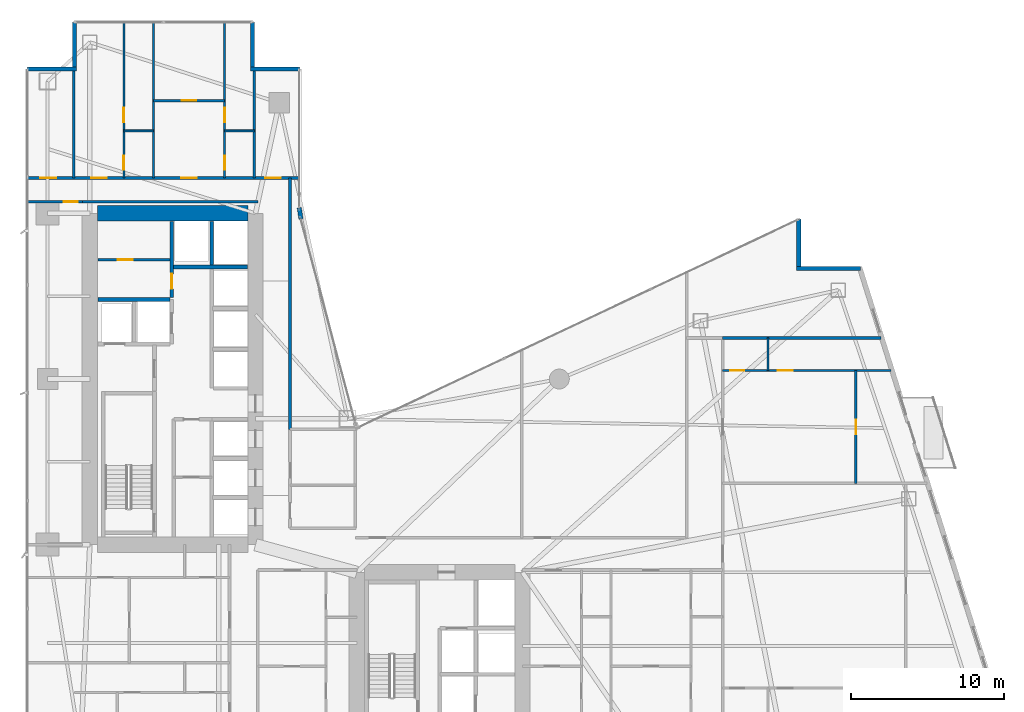
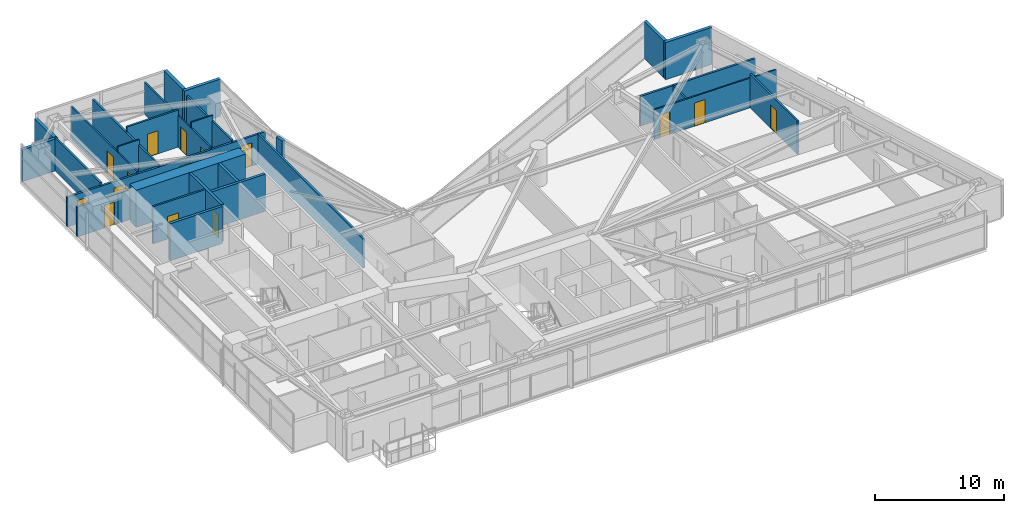
# One storey, part 24 of 28: 29 walls, 15 doors, 15 openings.
"""IFC4 building model written with IfcOpenShell, lengths in metres."""

from ifc_helpers import new_model, si_unit, direction, frame, frame_2d, origin, place, context, subcontext, project, spatial, rectangle, extrude, material, layer, layer_set, type_object, element, fill, save


model = new_model("IFC4")

# Units and contexts
model_context = context("Model", 3, precision=1e-05, world=origin(), true_north=direction((0.0, 1.0)))
body_context = subcontext(model_context, "Body", "Model", "MODEL_VIEW")
ifc_project = project(units=[si_unit("LENGTHUNIT", "METRE"), si_unit("AREAUNIT", "SQUARE_METRE"), si_unit("VOLUMEUNIT", "CUBIC_METRE"), si_unit("PLANEANGLEUNIT", "RADIAN"), si_unit("MASSUNIT", "GRAM", prefix="KILO")], contexts=[model_context])

# Site, building, storey
site_placement = place(None, origin())
site = spatial("IfcSite", under=ifc_project, at=site_placement, CompositionType="ELEMENT")
building_placement = place(site_placement, origin())
building = spatial("IfcBuilding", under=site, at=building_placement, Name="Calvorn Quay Hotel", CompositionType="ELEMENT")
storey_placement = place(building_placement, frame((0.0, 0.0, 88.800048828125)))
storey = spatial("IfcBuildingStorey", under=building, at=storey_placement, Name="L21", CompositionType="ELEMENT", Elevation=88.800048828125)

# Wall
ifc_material_1 = material(Name="Concrete C60", Category="concrete")
ifc_layer_1 = layer(ifc_material_1, 1.0)
ifc_layer_set_1 = layer_set([ifc_layer_1], Name="WL-CORE-1000")
wall_type_1 = type_object("IfcWallType", Name="WL-CORE-1000", PredefinedType="SHEAR", material=ifc_layer_set_1)
wall_1_placement = place(storey_placement, frame((4.699951171875, 38.39990234375, 0.0), z_axis=(0.0, 0.0, 1.0), x_axis=(1.0, 0.0, 0.0)))
element("IfcWall", 1, at=wall_1_placement, inside=storey, type_object=wall_type_1, Name="West Core Shear Wall N (L21)", PredefinedType="SHEAR", context=body_context, shape_type="SweptSolid", body=[
    extrude(rectangle(XDim=9.800048828125, YDim=1.0, at=frame_2d((4.89990234375, 0.0))), origin(), (0.0, 0.0, 1.0), 3.52001953125),
])

# Wall, opening, door
ifc_material_2 = material(Name="Acoustic Fireboard Steel-Stud Partition", Category="steel")
ifc_layer_2 = layer(ifc_material_2, 0.179931640625)
ifc_layer_set_2 = layer_set([ifc_layer_2], Name="WL-CORR-FIRE-180")
wall_type_2 = type_object("IfcWallType", Name="WL-CORR-FIRE-180", PredefinedType="PARTITIONING", material=ifc_layer_set_2)
wall_2_placement = place(storey_placement, frame((0.080078125, 39.14990234375, 0.0), z_axis=(0.0, 0.0, 1.0), x_axis=(1.0, 0.0, 0.0)))
wall_2 = element("IfcWall", 2, at=wall_2_placement, inside=storey, type_object=wall_type_2, Name="Partition Wall L21-WL-WBAY-N-DOOR", PredefinedType="PARTITIONING", context=body_context, shape_type="SweptSolid", body=[
    extrude(rectangle(XDim=3.64990234375, YDim=0.179931640625, at=frame_2d((1.824951171875, 0.0))), origin(), (0.0, 0.0, 1.0), 2.820068359375),
])
opening_1_placement = place(wall_2_placement, frame((2.429931640625, 0.0, 0.0)))
opening_1 = element("IfcOpeningElement", 3, at=opening_1_placement, cuts=wall_2, Name="Opening D-L21-WBN", PredefinedType="OPENING", context=body_context, shape_type="SweptSolid", body=[
    extrude(rectangle(XDim=0.89990234375, YDim=2.14990234375, at=frame_2d((0.449951171875, 1.074951171875))), frame((0.0, 0.099853515625, 0.0), z_axis=(0.0, -1.0, 0.0), x_axis=(1.0, 0.0, 0.0)), (0.0, 0.0, 1.0), 0.199951171875),
])
ifc_material_3 = material(Name="Moisture-Sealed Timber En-Suite Door", Category="wood")
door_type_1 = type_object("IfcDoorType", Name="DR-ENSUITE-900", OperationType="NOTDEFINED", PredefinedType="DOOR", material=ifc_material_3)
door_1_placement = place(opening_1_placement, origin())
door_1 = element("IfcDoor", 4, at=door_1_placement, inside=storey, type_object=door_type_1, Name="West North Bay Door (L21)", OperationType="SINGLE_SWING_LEFT", OverallHeight=2.14990234375, OverallWidth=0.89990234375, PredefinedType="DOOR", context=body_context, shape_type="SweptSolid", body=[
    extrude(rectangle(XDim=0.89990234375, YDim=2.14990234375, at=frame_2d((0.449951171875, 1.074951171875))), frame((0.0, 0.02490234375, 0.0), z_axis=(0.0, -1.0, 0.0), x_axis=(1.0, 0.0, 0.0)), (0.0, 0.0, 1.0), 0.050048828125),
])
fill(opening_1, door_1)

# Wall, openings, doors
wall_3_placement = place(storey_placement, frame((0.080078125, 40.699951171875, 0.0), z_axis=(0.0, 0.0, 1.0), x_axis=(1.0, 0.0, 0.0)))
wall_3 = element("IfcWall", 5, at=wall_3_placement, inside=storey, type_object=wall_type_2, Name="Partition Wall L21-WL-CORR-NW-N", PredefinedType="PARTITIONING", context=body_context, shape_type="SweptSolid", body=[
    extrude(rectangle(XDim=17.77001953125, YDim=0.179931640625, at=frame_2d((8.885009765625, 0.0))), origin(), (0.0, 0.0, 1.0), 2.820068359375),
])
opening_2_placement = place(wall_3_placement, frame((0.89990234375, 0.0, 0.0)))
opening_2 = element("IfcOpeningElement", 6, at=opening_2_placement, cuts=wall_3, Name="Opening D-L21-NWW", PredefinedType="OPENING", context=body_context, shape_type="SweptSolid", body=[
    extrude(rectangle(XDim=1.02001953125, YDim=2.199951171875, at=frame_2d((0.510009765625, 1.10009765625))), frame((0.0, 0.099853515625, 0.0), z_axis=(0.0, -1.0, 0.0), x_axis=(1.0, 0.0, 0.0)), (0.0, 0.0, 1.0), 0.199951171875),
])
opening_3_placement = place(wall_3_placement, frame((4.199951171875, 0.0, 0.0)))
opening_3 = element("IfcOpeningElement", 7, at=opening_3_placement, cuts=wall_3, Name="Opening D-L21-U04", PredefinedType="OPENING", context=body_context, shape_type="SweptSolid", body=[
    extrude(rectangle(XDim=1.02001953125, YDim=2.199951171875, at=frame_2d((0.510009765625, 1.10009765625))), frame((0.0, 0.099853515625, 0.0), z_axis=(0.0, -1.0, 0.0), x_axis=(1.0, 0.0, 0.0)), (0.0, 0.0, 1.0), 0.199951171875),
])
opening_4_placement = place(wall_3_placement, frame((10.080078125, 0.0, 0.0)))
opening_4 = element("IfcOpeningElement", 8, at=opening_4_placement, cuts=wall_3, Name="Opening D-L21-U05", PredefinedType="OPENING", context=body_context, shape_type="SweptSolid", body=[
    extrude(rectangle(XDim=1.02001953125, YDim=2.199951171875, at=frame_2d((0.510009765625, 1.10009765625))), frame((0.0, 0.099853515625, 0.0), z_axis=(0.0, -1.0, 0.0), x_axis=(1.0, 0.0, 0.0)), (0.0, 0.0, 1.0), 0.199951171875),
])
opening_5_placement = place(wall_3_placement, frame((15.550048828125, 0.0, 0.0)))
opening_5 = element("IfcOpeningElement", 9, at=opening_5_placement, cuts=wall_3, Name="Opening D-L21-NWE", PredefinedType="OPENING", context=body_context, shape_type="SweptSolid", body=[
    extrude(rectangle(XDim=1.02001953125, YDim=2.199951171875, at=frame_2d((0.510009765625, 1.10009765625))), frame((0.0, 0.099853515625, 0.0), z_axis=(0.0, -1.0, 0.0), x_axis=(1.0, 0.0, 0.0)), (0.0, 0.0, 1.0), 0.199951171875),
])
ifc_material_4 = material(Name="Solid-Core Walnut Veneer Hotel Fire Door")
door_type_2 = type_object("IfcDoorType", Name="DR-GUEST-ENTRY-1020", OperationType="NOTDEFINED", PredefinedType="DOOR", material=ifc_material_4)
door_2_placement = place(opening_2_placement, origin())
door_2 = element("IfcDoor", 10, at=door_2_placement, inside=storey, type_object=door_type_2, Name="West Corner Study Door (L21)", OperationType="SINGLE_SWING_LEFT", OverallHeight=2.199951171875, OverallWidth=1.02001953125, PredefinedType="DOOR", context=body_context, shape_type="SweptSolid", body=[
    extrude(rectangle(XDim=1.02001953125, YDim=2.199951171875, at=frame_2d((0.510009765625, 1.10009765625))), frame((0.0, 0.02490234375, 0.0), z_axis=(0.0, -1.0, 0.0), x_axis=(1.0, 0.0, 0.0)), (0.0, 0.0, 1.0), 0.050048828125),
])
fill(opening_2, door_2)
door_3_placement = place(opening_3_placement, origin())
door_3 = element("IfcDoor", 11, at=door_3_placement, inside=storey, type_object=door_type_2, Name="North-West Unit Door U04 (L21)", OperationType="SINGLE_SWING_RIGHT", OverallHeight=2.199951171875, OverallWidth=1.02001953125, PredefinedType="DOOR", context=body_context, shape_type="SweptSolid", body=[
    extrude(rectangle(XDim=1.02001953125, YDim=2.199951171875, at=frame_2d((0.510009765625, 1.10009765625))), frame((0.0, 0.02490234375, 0.0), z_axis=(0.0, -1.0, 0.0), x_axis=(1.0, 0.0, 0.0)), (0.0, 0.0, 1.0), 0.050048828125),
])
fill(opening_3, door_3)
door_4_placement = place(opening_4_placement, origin())
door_4 = element("IfcDoor", 12, at=door_4_placement, inside=storey, type_object=door_type_2, Name="North-West Unit Door U05 (L21)", OperationType="SINGLE_SWING_LEFT", OverallHeight=2.199951171875, OverallWidth=1.02001953125, PredefinedType="DOOR", context=body_context, shape_type="SweptSolid", body=[
    extrude(rectangle(XDim=1.02001953125, YDim=2.199951171875, at=frame_2d((0.510009765625, 1.10009765625))), frame((0.0, 0.02490234375, 0.0), z_axis=(0.0, -1.0, 0.0), x_axis=(1.0, 0.0, 0.0)), (0.0, 0.0, 1.0), 0.050048828125),
])
fill(opening_4, door_4)
door_5_placement = place(opening_5_placement, origin())
door_5 = element("IfcDoor", 13, at=door_5_placement, inside=storey, type_object=door_type_2, Name="Inner Court Study Door (L21)", OperationType="SINGLE_SWING_RIGHT", OverallHeight=2.199951171875, OverallWidth=1.02001953125, PredefinedType="DOOR", context=body_context, shape_type="SweptSolid", body=[
    extrude(rectangle(XDim=1.02001953125, YDim=2.199951171875, at=frame_2d((0.510009765625, 1.10009765625))), frame((0.0, 0.02490234375, 0.0), z_axis=(0.0, -1.0, 0.0), x_axis=(1.0, 0.0, 0.0)), (0.0, 0.0, 1.0), 0.050048828125),
])
fill(opening_5, door_5)

# Walls
wall_4_placement = place(storey_placement, frame((17.25, 24.300048828125, 0.0), z_axis=(0.0, 0.0, 1.0), x_axis=(0.0, 1.0, 0.0)))
element("IfcWall", 14, at=wall_4_placement, inside=storey, type_object=wall_type_2, Name="Partition Wall L21-WL-NW-CLOSURE-E", PredefinedType="PARTITIONING", context=body_context, shape_type="SweptSolid", body=[
    extrude(rectangle(XDim=16.39990234375, YDim=0.179931640625, at=frame_2d((8.199951171875, 0.0))), origin(), (0.0, 0.0, 1.0), 2.820068359375),
])
wall_5_placement = place(storey_placement, frame((3.679931640625, 39.14990234375, 0.0), z_axis=(0.0, 0.0, 1.0), x_axis=(1.0, 0.0, 0.0)))
element("IfcWall", 15, at=wall_5_placement, inside=storey, type_object=wall_type_2, Name="Partition Wall L21-WL-W-SPUR-S", PredefinedType="PARTITIONING", context=body_context, shape_type="SweptSolid", body=[
    extrude(rectangle(XDim=11.469970703125, YDim=0.179931640625, at=frame_2d((5.73486328125, 0.0))), origin(), (0.0, 0.0, 1.0), 2.820068359375),
])
wall_6_placement = place(storey_placement, frame((45.449951171875, 30.280029296875, 0.0), z_axis=(0.0, 0.0, 1.0), x_axis=(1.0, 0.0, 0.0)))
element("IfcWall", 16, at=wall_6_placement, inside=storey, type_object=wall_type_2, Name="Partition Wall L21-WL-TIP-N", PredefinedType="PARTITIONING", context=body_context, shape_type="SweptSolid", body=[
    extrude(rectangle(XDim=10.31005859375, YDim=0.179931640625, at=frame_2d((5.155029296875, 0.0))), origin(), (0.0, 0.0, 1.0), 2.820068359375),
])
ifc_material_5 = material(Name="Moisture-Resistant Tile-Backed Partition")
ifc_layer_3 = layer(ifc_material_5, 0.125)
ifc_layer_set_3 = layer_set([ifc_layer_3], Name="WL-ENSUITE-125")
wall_type_3 = type_object("IfcWallType", Name="WL-ENSUITE-125", PredefinedType="PARTITIONING", material=ifc_layer_set_3)
wall_7_placement = place(storey_placement, frame((6.419921875, 43.77001953125, 0.0), z_axis=(0.0, 0.0, 1.0), x_axis=(1.0, 0.0, 0.0)))
element("IfcWall", 17, at=wall_7_placement, inside=storey, type_object=wall_type_3, Name="Partition Wall L21-WL-U04-BDV", PredefinedType="PARTITIONING", context=body_context, shape_type="SweptSolid", body=[
    extrude(rectangle(XDim=1.93017578125, YDim=0.125, at=frame_2d((0.965087890625, 0.0))), origin(), (0.0, 0.0, 1.0), 3.52001953125),
])

# Wall, openings, doors
wall_8_placement = place(storey_placement, frame((6.419921875, 40.699951171875, 0.0), z_axis=(0.0, 0.0, 1.0), x_axis=(0.0, 1.0, 0.0)))
wall_8 = element("IfcWall", 18, at=wall_8_placement, inside=storey, type_object=wall_type_3, Name="Partition Wall L21-WL-U04-BV", PredefinedType="PARTITIONING", context=body_context, shape_type="SweptSolid", body=[
    extrude(rectangle(XDim=10.239990234375, YDim=0.125, at=frame_2d((5.1201171875, 0.0))), origin(), (0.0, 0.0, 1.0), 3.02001953125),
])
opening_6_placement = place(wall_8_placement, frame((0.550048828125, 0.0, 0.0)))
opening_6 = element("IfcOpeningElement", 19, at=opening_6_placement, cuts=wall_8, Name="Opening D-L21-E04", PredefinedType="OPENING", context=body_context, shape_type="SweptSolid", body=[
    extrude(rectangle(XDim=0.89990234375, YDim=2.14990234375, at=frame_2d((0.449951171875, 1.074951171875))), frame((0.0, 0.072509765625, 0.0), z_axis=(0.0, -1.0, 0.0), x_axis=(1.0, 0.0, 0.0)), (0.0, 0.0, 1.0), 0.14501953125),
])
opening_7_placement = place(wall_8_placement, frame((3.6201171875, 0.0, 0.0)))
opening_7 = element("IfcOpeningElement", 20, at=opening_7_placement, cuts=wall_8, Name="Opening D-L21-S04", PredefinedType="OPENING", context=body_context, shape_type="SweptSolid", body=[
    extrude(rectangle(XDim=0.9599609375, YDim=2.199951171875, at=frame_2d((0.47998046875, 1.10009765625))), frame((0.0, 0.072509765625, 0.0), z_axis=(0.0, -1.0, 0.0), x_axis=(1.0, 0.0, 0.0)), (0.0, 0.0, 1.0), 0.14501953125),
])
door_6_placement = place(opening_6_placement, origin())
door_6 = element("IfcDoor", 21, at=door_6_placement, inside=storey, type_object=door_type_1, Name="En-Suite Door 04", OperationType="SINGLE_SWING_LEFT", OverallHeight=2.14990234375, OverallWidth=0.89990234375, PredefinedType="DOOR", context=body_context, shape_type="SweptSolid", body=[
    extrude(rectangle(XDim=0.89990234375, YDim=2.14990234375, at=frame_2d((0.449951171875, 1.074951171875))), frame((0.0, 0.02490234375, 0.0), z_axis=(0.0, -1.0, 0.0), x_axis=(1.0, 0.0, 0.0)), (0.0, 0.0, 1.0), 0.050048828125),
])
fill(opening_6, door_6)
ifc_material_6 = material(Name="Solid Timber Internal Suite Door", Category="wood")
door_type_3 = type_object("IfcDoorType", Name="DR-SUITE-INT-960", OperationType="NOTDEFINED", PredefinedType="DOOR", material=ifc_material_6)
door_7_placement = place(opening_7_placement, origin())
door_7 = element("IfcDoor", 22, at=door_7_placement, inside=storey, type_object=door_type_3, Name="Curated Resort Boutique Door 04", OperationType="SINGLE_SWING_RIGHT", OverallHeight=2.199951171875, OverallWidth=0.9599609375, PredefinedType="DOOR", context=body_context, shape_type="SweptSolid", body=[
    extrude(rectangle(XDim=0.9599609375, YDim=2.199951171875, at=frame_2d((0.47998046875, 1.10009765625))), frame((0.0, 0.02490234375, 0.0), z_axis=(0.0, -1.0, 0.0), x_axis=(1.0, 0.0, 0.0)), (0.0, 0.0, 1.0), 0.050048828125),
])
fill(opening_7, door_7)

# Wall
wall_9_placement = place(storey_placement, frame((12.989990234375, 43.77001953125, 0.0), z_axis=(0.0, 0.0, 1.0), x_axis=(1.0, 0.0, 0.0)))
element("IfcWall", 23, at=wall_9_placement, inside=storey, type_object=wall_type_3, Name="Partition Wall L21-WL-U05-BDV", PredefinedType="PARTITIONING", context=body_context, shape_type="SweptSolid", body=[
    extrude(rectangle(XDim=1.929931640625, YDim=0.125, at=frame_2d((0.96484375, 0.0))), origin(), (0.0, 0.0, 1.0), 3.52001953125),
])

# Wall, openings, doors
wall_10_placement = place(storey_placement, frame((12.989990234375, 40.699951171875, 0.0), z_axis=(0.0, 0.0, 1.0), x_axis=(0.0, 1.0, 0.0)))
wall_10 = element("IfcWall", 24, at=wall_10_placement, inside=storey, type_object=wall_type_3, Name="Partition Wall L21-WL-U05-BV", PredefinedType="PARTITIONING", context=body_context, shape_type="SweptSolid", body=[
    extrude(rectangle(XDim=10.239990234375, YDim=0.125, at=frame_2d((5.1201171875, 0.0))), origin(), (0.0, 0.0, 1.0), 3.02001953125),
])
opening_8_placement = place(wall_10_placement, frame((0.550048828125, 0.0, 0.0)))
opening_8 = element("IfcOpeningElement", 25, at=opening_8_placement, cuts=wall_10, Name="Opening D-L21-E05", PredefinedType="OPENING", context=body_context, shape_type="SweptSolid", body=[
    extrude(rectangle(XDim=0.89990234375, YDim=2.14990234375, at=frame_2d((0.449951171875, 1.074951171875))), frame((0.0, 0.072509765625, 0.0), z_axis=(0.0, -1.0, 0.0), x_axis=(1.0, 0.0, 0.0)), (0.0, 0.0, 1.0), 0.14501953125),
])
opening_9_placement = place(wall_10_placement, frame((3.6201171875, 0.0, 0.0)))
opening_9 = element("IfcOpeningElement", 26, at=opening_9_placement, cuts=wall_10, Name="Opening D-L21-S05", PredefinedType="OPENING", context=body_context, shape_type="SweptSolid", body=[
    extrude(rectangle(XDim=0.9599609375, YDim=2.199951171875, at=frame_2d((0.47998046875, 1.10009765625))), frame((0.0, 0.072509765625, 0.0), z_axis=(0.0, -1.0, 0.0), x_axis=(1.0, 0.0, 0.0)), (0.0, 0.0, 1.0), 0.14501953125),
])
door_8_placement = place(opening_8_placement, origin())
door_8 = element("IfcDoor", 27, at=door_8_placement, inside=storey, type_object=door_type_1, Name="En-Suite Door 05", OperationType="SINGLE_SWING_LEFT", OverallHeight=2.14990234375, OverallWidth=0.89990234375, PredefinedType="DOOR", context=body_context, shape_type="SweptSolid", body=[
    extrude(rectangle(XDim=0.89990234375, YDim=2.14990234375, at=frame_2d((0.449951171875, 1.074951171875))), frame((0.0, 0.02490234375, 0.0), z_axis=(0.0, -1.0, 0.0), x_axis=(1.0, 0.0, 0.0)), (0.0, 0.0, 1.0), 0.050048828125),
])
fill(opening_8, door_8)
door_9_placement = place(opening_9_placement, origin())
door_9 = element("IfcDoor", 28, at=door_9_placement, inside=storey, type_object=door_type_3, Name="Curated Resort Boutique Door 05", OperationType="SINGLE_SWING_RIGHT", OverallHeight=2.199951171875, OverallWidth=0.9599609375, PredefinedType="DOOR", context=body_context, shape_type="SweptSolid", body=[
    extrude(rectangle(XDim=0.9599609375, YDim=2.199951171875, at=frame_2d((0.47998046875, 1.10009765625))), frame((0.0, 0.02490234375, 0.0), z_axis=(0.0, -1.0, 0.0), x_axis=(1.0, 0.0, 0.0)), (0.0, 0.0, 1.0), 0.050048828125),
])
fill(opening_9, door_9)

# Wall
wall_11_placement = place(storey_placement, frame((48.39990234375, 28.14990234375, 0.0), z_axis=(0.0, 0.0, 1.0), x_axis=(0.0, 1.0, 0.0)))
element("IfcWall", 29, at=wall_11_placement, inside=storey, type_object=wall_type_3, Name="Partition Wall L21-WL-U09-BDV", PredefinedType="PARTITIONING", context=body_context, shape_type="SweptSolid", body=[
    extrude(rectangle(XDim=2.130126953125, YDim=0.125, at=frame_2d((1.06494140625, 0.0))), origin(), (0.0, 0.0, 1.0), 2.820068359375),
])

# Wall, openings, doors
wall_12_placement = place(storey_placement, frame((45.449951171875, 28.14990234375, 0.0), z_axis=(0.0, 0.0, 1.0), x_axis=(1.0, 0.0, 0.0)))
wall_12 = element("IfcWall", 30, at=wall_12_placement, inside=storey, type_object=wall_type_3, Name="Partition Wall L21-WL-U09-BH", PredefinedType="PARTITIONING", context=body_context, shape_type="SweptSolid", body=[
    extrude(rectangle(XDim=10.97998046875, YDim=0.125, at=frame_2d((5.489990234375, 0.0))), origin(), (0.0, 0.0, 1.0), 2.820068359375),
])
opening_10_placement = place(wall_12_placement, frame((0.5, 0.0, 0.0)))
opening_10 = element("IfcOpeningElement", 31, at=opening_10_placement, cuts=wall_12, Name="Opening D-L21-E09", PredefinedType="OPENING", context=body_context, shape_type="SweptSolid", body=[
    extrude(rectangle(XDim=0.89990234375, YDim=2.14990234375, at=frame_2d((0.449951171875, 1.074951171875))), frame((0.0, 0.072509765625, 0.0), z_axis=(0.0, -1.0, 0.0), x_axis=(1.0, 0.0, 0.0)), (0.0, 0.0, 1.0), 0.14501953125),
])
opening_11_placement = place(wall_12_placement, frame((3.60009765625, 0.0, 0.0)))
opening_11 = element("IfcOpeningElement", 32, at=opening_11_placement, cuts=wall_12, Name="Opening D-L21-S09", PredefinedType="OPENING", context=body_context, shape_type="SweptSolid", body=[
    extrude(rectangle(XDim=0.9599609375, YDim=2.199951171875, at=frame_2d((0.47998046875, 1.10009765625))), frame((0.0, 0.072509765625, 0.0), z_axis=(0.0, -1.0, 0.0), x_axis=(1.0, 0.0, 0.0)), (0.0, 0.0, 1.0), 0.14501953125),
])
door_10_placement = place(opening_10_placement, origin())
door_10 = element("IfcDoor", 33, at=door_10_placement, inside=storey, type_object=door_type_1, Name="En-Suite Door 09", OperationType="SINGLE_SWING_LEFT", OverallHeight=2.14990234375, OverallWidth=0.89990234375, PredefinedType="DOOR", context=body_context, shape_type="SweptSolid", body=[
    extrude(rectangle(XDim=0.89990234375, YDim=2.14990234375, at=frame_2d((0.449951171875, 1.074951171875))), frame((0.0, 0.02490234375, 0.0), z_axis=(0.0, -1.0, 0.0), x_axis=(1.0, 0.0, 0.0)), (0.0, 0.0, 1.0), 0.050048828125),
])
fill(opening_10, door_10)
door_11_placement = place(opening_11_placement, origin())
door_11 = element("IfcDoor", 34, at=door_11_placement, inside=storey, type_object=door_type_3, Name="Curated Resort Boutique Door 09", OperationType="SINGLE_SWING_RIGHT", OverallHeight=2.199951171875, OverallWidth=0.9599609375, PredefinedType="DOOR", context=body_context, shape_type="SweptSolid", body=[
    extrude(rectangle(XDim=0.9599609375, YDim=2.199951171875, at=frame_2d((0.47998046875, 1.10009765625))), frame((0.0, 0.02490234375, 0.0), z_axis=(0.0, -1.0, 0.0), x_axis=(1.0, 0.0, 0.0)), (0.0, 0.0, 1.0), 0.050048828125),
])
fill(opening_11, door_11)

# Walls
ifc_material_7 = material(Name="Concrete C40", Category="concrete")
ifc_layer_4 = layer(ifc_material_7, 0.320068359375)
ifc_layer_set_4 = layer_set([ifc_layer_4], Name="WL-EXT-SPANDREL-320")
wall_type_4 = type_object("IfcWallType", Name="WL-EXT-SPANDREL-320", PredefinedType="SOLIDWALL", material=ifc_layer_set_4)
wall_13_placement = place(storey_placement, frame((17.9619140625, 38.030029296875, 0.0), z_axis=(0.0, 0.0, 1.0), x_axis=(-0.15141125477, 0.988470855377, 0.0)))
element("IfcWall", 35, at=wall_13_placement, inside=storey, type_object=wall_type_4, Name="Inner Court Corner Pier L21-ICJ2", PredefinedType="SOLIDWALL", context=body_context, shape_type="SweptSolid", body=[
    extrude(rectangle(XDim=0.738525390625, YDim=0.280029296875, at=frame_2d((0.369140625, 0.0))), origin(), (0.0, 0.0, 1.0), 3.52001953125),
])
wall_14_placement = place(storey_placement, frame((54.43994140625, 34.800048828125, 0.0), z_axis=(0.0, 0.0, 1.0), x_axis=(-1.0, 0.0, 0.0)))
element("IfcWall", 36, at=wall_14_placement, inside=storey, type_object=wall_type_4, Name="Notched Corner Spandrel L21-NE1", PredefinedType="SOLIDWALL", context=body_context, shape_type="SweptSolid", body=[
    extrude(rectangle(XDim=4.179931640625, YDim=0.280029296875, at=frame_2d((2.08984375, 0.0))), origin(), (0.0, 0.0, 1.0), 3.52001953125),
])
wall_15_placement = place(storey_placement, frame((50.39990234375, 34.93994140625, 0.0), z_axis=(0.0, 0.0, 1.0), x_axis=(0.0, 1.0, 0.0)))
element("IfcWall", 37, at=wall_15_placement, inside=storey, type_object=wall_type_4, Name="Notched Corner Spandrel L21-NE2", PredefinedType="SOLIDWALL", context=body_context, shape_type="SweptSolid", body=[
    extrude(rectangle(XDim=3.10009765625, YDim=0.280029296875, at=frame_2d((1.550048828125, 0.0))), origin(), (0.0, 0.0, 1.0), 3.52001953125),
])
wall_16_placement = place(storey_placement, frame((17.89990234375, 47.800048828125, 0.0), z_axis=(0.0, 0.0, 1.0), x_axis=(-1.0, 0.0, 0.0)))
element("IfcWall", 38, at=wall_16_placement, inside=storey, type_object=wall_type_4, Name="Notched Corner Spandrel L21-NWE1", PredefinedType="SOLIDWALL", context=body_context, shape_type="SweptSolid", body=[
    extrude(rectangle(XDim=3.239990234375, YDim=0.280029296875, at=frame_2d((1.6201171875, 0.0))), origin(), (0.0, 0.0, 1.0), 3.52001953125),
])
wall_17_placement = place(storey_placement, frame((14.800048828125, 47.93994140625, 0.0), z_axis=(0.0, 0.0, 1.0), x_axis=(0.0, 1.0, 0.0)))
element("IfcWall", 39, at=wall_17_placement, inside=storey, type_object=wall_type_4, Name="Notched Corner Spandrel L21-NWE2", PredefinedType="SOLIDWALL", context=body_context, shape_type="SweptSolid", body=[
    extrude(rectangle(XDim=2.93994140625, YDim=0.280029296875, at=frame_2d((1.469970703125, 0.0))), origin(), (0.0, 0.0, 1.0), 3.52001953125),
])
wall_18_placement = place(storey_placement, frame((3.199951171875, 50.8798828125, 0.0), z_axis=(0.0, 0.0, 1.0), x_axis=(0.0, -1.0, 0.0)))
element("IfcWall", 40, at=wall_18_placement, inside=storey, type_object=wall_type_4, Name="Notched Corner Spandrel L21-NW1", PredefinedType="SOLIDWALL", context=body_context, shape_type="SweptSolid", body=[
    extrude(rectangle(XDim=2.93994140625, YDim=0.280029296875, at=frame_2d((1.469970703125, 0.0))), origin(), (0.0, 0.0, 1.0), 3.02001953125),
])
wall_19_placement = place(storey_placement, frame((3.340087890625, 47.800048828125, 0.0), z_axis=(0.0, 0.0, 1.0), x_axis=(-1.0, 0.0, 0.0)))
element("IfcWall", 41, at=wall_19_placement, inside=storey, type_object=wall_type_4, Name="Notched Corner Spandrel L21-NW2", PredefinedType="SOLIDWALL", context=body_context, shape_type="SweptSolid", body=[
    extrude(rectangle(XDim=3.219970703125, YDim=0.280029296875, at=frame_2d((1.60986328125, 0.0))), origin(), (0.0, 0.0, 1.0), 3.02001953125),
])

# Wall, opening, door
ifc_material_8 = material(Name="Double-Stud Acoustic Gypsum Partition")
ifc_layer_5 = layer(ifc_material_8, 0.159912109375)
ifc_layer_set_5 = layer_set([ifc_layer_5], Name="WL-INTERSUITE-160")
wall_type_5 = type_object("IfcWallType", Name="WL-INTERSUITE-160", PredefinedType="PARTITIONING", material=ifc_layer_set_5)
wall_20_placement = place(storey_placement, frame((4.719970703125, 35.3798828125, 0.0), z_axis=(0.0, 0.0, 1.0), x_axis=(1.0, 0.0, 0.0)))
wall_20 = element("IfcWall", 42, at=wall_20_placement, inside=storey, type_object=wall_type_5, Name="Partition Wall L21-WL-CWW-K-MID", PredefinedType="PARTITIONING", context=body_context, shape_type="SweptSolid", body=[
    extrude(rectangle(XDim=4.699951171875, YDim=0.159912109375, at=frame_2d((2.35009765625, 0.0))), origin(), (0.0, 0.0, 1.0), 3.52001953125),
])
opening_12_placement = place(wall_20_placement, frame((1.300048828125, 0.0, 0.0)))
opening_12 = element("IfcOpeningElement", 43, at=opening_12_placement, cuts=wall_20, Name="Opening D-L21-CK2", PredefinedType="OPENING", context=body_context, shape_type="SweptSolid", body=[
    extrude(rectangle(XDim=0.97998046875, YDim=2.14990234375, at=frame_2d((0.489990234375, 1.074951171875))), frame((0.0, 0.08984375, 0.0), z_axis=(0.0, -1.0, 0.0), x_axis=(1.0, 0.0, 0.0)), (0.0, 0.0, 1.0), 0.179931640625),
])
ifc_material_9 = material(Name="Painted Steel Housekeeping/Riser Fire Door", Category="steel")
door_type_4 = type_object("IfcDoorType", Name="DR-SERVICE-980", OperationType="NOTDEFINED", PredefinedType="DOOR", material=ifc_material_9)
door_12_placement = place(opening_12_placement, origin())
door_12 = element("IfcDoor", 44, at=door_12_placement, inside=storey, type_object=door_type_4, Name="Electrical Riser Door (L21)", OperationType="SINGLE_SWING_RIGHT", OverallHeight=2.14990234375, OverallWidth=0.97998046875, PredefinedType="DOOR", context=body_context, shape_type="SweptSolid", body=[
    extrude(rectangle(XDim=0.97998046875, YDim=2.14990234375, at=frame_2d((0.489990234375, 1.074951171875))), frame((0.0, 0.02490234375, 0.0), z_axis=(0.0, -1.0, 0.0), x_axis=(1.0, 0.0, 0.0)), (0.0, 0.0, 1.0), 0.050048828125),
])
fill(opening_12, door_12)

# Walls
wall_21_placement = place(storey_placement, frame((3.14990234375, 40.699951171875, 0.0), z_axis=(0.0, 0.0, 1.0), x_axis=(0.0, 1.0, 0.0)))
element("IfcWall", 45, at=wall_21_placement, inside=storey, type_object=wall_type_5, Name="Partition Wall L21-WL-NW-DIV-W0", PredefinedType="PARTITIONING", context=body_context, shape_type="SweptSolid", body=[
    extrude(rectangle(XDim=7.10009765625, YDim=0.159912109375, at=frame_2d((3.550048828125, 0.0))), origin(), (0.0, 0.0, 1.0), 3.119873046875),
])
wall_22_placement = place(storey_placement, frame((14.919921875, 40.699951171875, 0.0), z_axis=(0.0, 0.0, 1.0), x_axis=(0.0, 1.0, 0.0)))
element("IfcWall", 46, at=wall_22_placement, inside=storey, type_object=wall_type_5, Name="Partition Wall L21-WL-NW-DIV-E0", PredefinedType="PARTITIONING", context=body_context, shape_type="SweptSolid", body=[
    extrude(rectangle(XDim=7.10009765625, YDim=0.159912109375, at=frame_2d((3.550048828125, 0.0))), origin(), (0.0, 0.0, 1.0), 3.02001953125),
])

# Wall, opening, door
wall_23_placement = place(storey_placement, frame((8.35009765625, 45.75, 0.0), z_axis=(0.0, 0.0, 1.0), x_axis=(1.0, 0.0, 0.0)))
wall_23 = element("IfcWall", 47, at=wall_23_placement, inside=storey, type_object=wall_type_5, Name="Partition Wall L21-WL-U05-MSP", PredefinedType="PARTITIONING", context=body_context, shape_type="SweptSolid", body=[
    extrude(rectangle(XDim=4.639892578125, YDim=0.159912109375, at=frame_2d((2.31982421875, 0.0))), origin(), (0.0, 0.0, 1.0), 3.52001953125),
])
opening_13_placement = place(wall_23_placement, frame((1.840087890625, 0.0, 0.0)))
opening_13 = element("IfcOpeningElement", 48, at=opening_13_placement, cuts=wall_23, Name="Opening D-L21-M05", PredefinedType="OPENING", context=body_context, shape_type="SweptSolid", body=[
    extrude(rectangle(XDim=0.9599609375, YDim=2.199951171875, at=frame_2d((0.47998046875, 1.10009765625))), frame((0.0, 0.08984375, 0.0), z_axis=(0.0, -1.0, 0.0), x_axis=(1.0, 0.0, 0.0)), (0.0, 0.0, 1.0), 0.179931640625),
])
door_13_placement = place(opening_13_placement, origin())
door_13 = element("IfcDoor", 49, at=door_13_placement, inside=storey, type_object=door_type_3, Name="Suite Bedroom Door 05", OperationType="SINGLE_SWING_LEFT", OverallHeight=2.199951171875, OverallWidth=0.9599609375, PredefinedType="DOOR", context=body_context, shape_type="SweptSolid", body=[
    extrude(rectangle(XDim=0.9599609375, YDim=2.199951171875, at=frame_2d((0.47998046875, 1.10009765625))), frame((0.0, 0.02490234375, 0.0), z_axis=(0.0, -1.0, 0.0), x_axis=(1.0, 0.0, 0.0)), (0.0, 0.0, 1.0), 0.050048828125),
])
fill(opening_13, door_13)

# Wall
wall_24_placement = place(storey_placement, frame((8.35009765625, 40.699951171875, 0.0), z_axis=(0.0, 0.0, 1.0), x_axis=(0.0, 1.0, 0.0)))
element("IfcWall", 50, at=wall_24_placement, inside=storey, type_object=wall_type_5, Name="Partition Wall L21-WL-NW-DIV-1", PredefinedType="PARTITIONING", context=body_context, shape_type="SweptSolid", body=[
    extrude(rectangle(XDim=10.239990234375, YDim=0.159912109375, at=frame_2d((5.1201171875, 0.0))), origin(), (0.0, 0.0, 1.0), 3.02001953125),
])

# Wall, opening, door
wall_25_placement = place(storey_placement, frame((54.1298828125, 20.800048828125, 0.0), z_axis=(0.0, 0.0, 1.0), x_axis=(0.0, 1.0, 0.0)))
wall_25 = element("IfcWall", 51, at=wall_25_placement, inside=storey, type_object=wall_type_5, Name="Partition Wall L21-WL-U09-MSP", PredefinedType="PARTITIONING", context=body_context, shape_type="SweptSolid", body=[
    extrude(rectangle(XDim=7.349853515625, YDim=0.159912109375, at=frame_2d((3.6748046875, 0.0))), origin(), (0.0, 0.0, 1.0), 3.169921875),
])
opening_14_placement = place(wall_25_placement, frame((3.18994140625, 0.0, 0.0)))
opening_14 = element("IfcOpeningElement", 52, at=opening_14_placement, cuts=wall_25, Name="Opening D-L21-M09", PredefinedType="OPENING", context=body_context, shape_type="SweptSolid", body=[
    extrude(rectangle(XDim=0.9599609375, YDim=2.199951171875, at=frame_2d((0.47998046875, 1.10009765625))), frame((0.0, 0.08984375, 0.0), z_axis=(0.0, -1.0, 0.0), x_axis=(1.0, 0.0, 0.0)), (0.0, 0.0, 1.0), 0.179931640625),
])
door_14_placement = place(opening_14_placement, origin())
door_14 = element("IfcDoor", 53, at=door_14_placement, inside=storey, type_object=door_type_3, Name="Suite Bedroom Door 09", OperationType="SINGLE_SWING_LEFT", OverallHeight=2.199951171875, OverallWidth=0.9599609375, PredefinedType="DOOR", context=body_context, shape_type="SweptSolid", body=[
    extrude(rectangle(XDim=0.9599609375, YDim=2.199951171875, at=frame_2d((0.47998046875, 1.10009765625))), frame((0.0, 0.02490234375, 0.0), z_axis=(0.0, -1.0, 0.0), x_axis=(1.0, 0.0, 0.0)), (0.0, 0.0, 1.0), 0.050048828125),
])
fill(opening_14, door_14)

ifc_material_10 = material(Name="Autoclaved Aerated Masonry Block", Category="masonry")
ifc_layer_6 = layer(ifc_material_10, 0.219970703125)
ifc_layer_set_6 = layer_set([ifc_layer_6], Name="WL-LOBBY-FIRE-220")
wall_type_6 = type_object("IfcWallType", Name="WL-LOBBY-FIRE-220", PredefinedType="SOLIDWALL", material=ifc_layer_set_6)
wall_26_placement = place(storey_placement, frame((9.5400390625, 32.919921875, 0.0), z_axis=(0.0, 0.0, 1.0), x_axis=(0.0, 1.0, 0.0)))
wall_26 = element("IfcWall", 54, at=wall_26_placement, inside=storey, type_object=wall_type_6, Name="Partition Wall L21-WL-CWW-K-E", PredefinedType="SOLIDWALL", context=body_context, shape_type="SweptSolid", body=[
    extrude(rectangle(XDim=4.9599609375, YDim=0.219970703125, at=frame_2d((2.47998046875, 0.0))), origin(), (0.0, 0.0, 1.0), 3.52001953125),
])
opening_15_placement = place(wall_26_placement, frame((0.550048828125, 0.0, 0.0)))
opening_15 = element("IfcOpeningElement", 55, at=opening_15_placement, cuts=wall_26, Name="Opening D-L21-CK1", PredefinedType="OPENING", context=body_context, shape_type="SweptSolid", body=[
    extrude(rectangle(XDim=0.97998046875, YDim=2.14990234375, at=frame_2d((0.489990234375, 1.074951171875))), frame((0.0, 0.119873046875, 0.0), z_axis=(0.0, -1.0, 0.0), x_axis=(1.0, 0.0, 0.0)), (0.0, 0.0, 1.0), 0.239990234375),
])
door_15_placement = place(opening_15_placement, origin())
door_15 = element("IfcDoor", 56, at=door_15_placement, inside=storey, type_object=door_type_4, Name="Core Housekeeping Door (L21)", OperationType="SINGLE_SWING_LEFT", OverallHeight=2.14990234375, OverallWidth=0.97998046875, PredefinedType="DOOR", context=body_context, shape_type="SweptSolid", body=[
    extrude(rectangle(XDim=0.97998046875, YDim=2.14990234375, at=frame_2d((0.489990234375, 1.074951171875))), frame((0.0, 0.02490234375, 0.0), z_axis=(0.0, -1.0, 0.0), x_axis=(1.0, 0.0, 0.0)), (0.0, 0.0, 1.0), 0.050048828125),
])
fill(opening_15, door_15)

# Walls
ifc_material_11 = material(Name="Concrete C40", Category="concrete")
ifc_layer_7 = layer(ifc_material_11, 0.239990234375)
ifc_layer_set_7 = layer_set([ifc_layer_7], Name="WL-SHAFT-240")
wall_type_7 = type_object("IfcWallType", Name="WL-SHAFT-240", PredefinedType="SOLIDWALL", material=ifc_layer_set_7)
wall_27_placement = place(storey_placement, frame((4.719970703125, 32.780029296875, 0.0), z_axis=(0.0, 0.0, 1.0), x_axis=(1.0, 0.0, 0.0)))
element("IfcWall", 57, at=wall_27_placement, inside=storey, type_object=wall_type_7, Name="Partition Wall L21-WL-CWW-SLW-N", PredefinedType="SOLIDWALL", context=body_context, shape_type="SweptSolid", body=[
    extrude(rectangle(XDim=4.699951171875, YDim=0.239990234375, at=frame_2d((2.35009765625, 0.0))), origin(), (0.0, 0.0, 1.0), 3.52001953125),
])
wall_28_placement = place(storey_placement, frame((9.659912109375, 34.89990234375, 0.0), z_axis=(0.0, 0.0, 1.0), x_axis=(1.0, 0.0, 0.0)))
element("IfcWall", 58, at=wall_28_placement, inside=storey, type_object=wall_type_7, Name="Partition Wall L21-WL-CWW-PLH-S", PredefinedType="SOLIDWALL", context=body_context, shape_type="SweptSolid", body=[
    extrude(rectangle(XDim=4.820068359375, YDim=0.239990234375, at=frame_2d((2.41015625, 0.0))), origin(), (0.0, 0.0, 1.0), 3.52001953125),
])
wall_29_placement = place(storey_placement, frame((12.14990234375, 35.02001953125, 0.0), z_axis=(0.0, 0.0, 1.0), x_axis=(0.0, 1.0, 0.0)))
element("IfcWall", 59, at=wall_29_placement, inside=storey, type_object=wall_type_7, Name="Partition Wall L21-WL-CWW-PLH-DIV", PredefinedType="SOLIDWALL", context=body_context, shape_type="SweptSolid", body=[
    extrude(rectangle(XDim=2.85986328125, YDim=0.239990234375, at=frame_2d((1.429931640625, 0.0))), origin(), (0.0, 0.0, 1.0), 3.52001953125),
])

save(model, "model.ifc")
